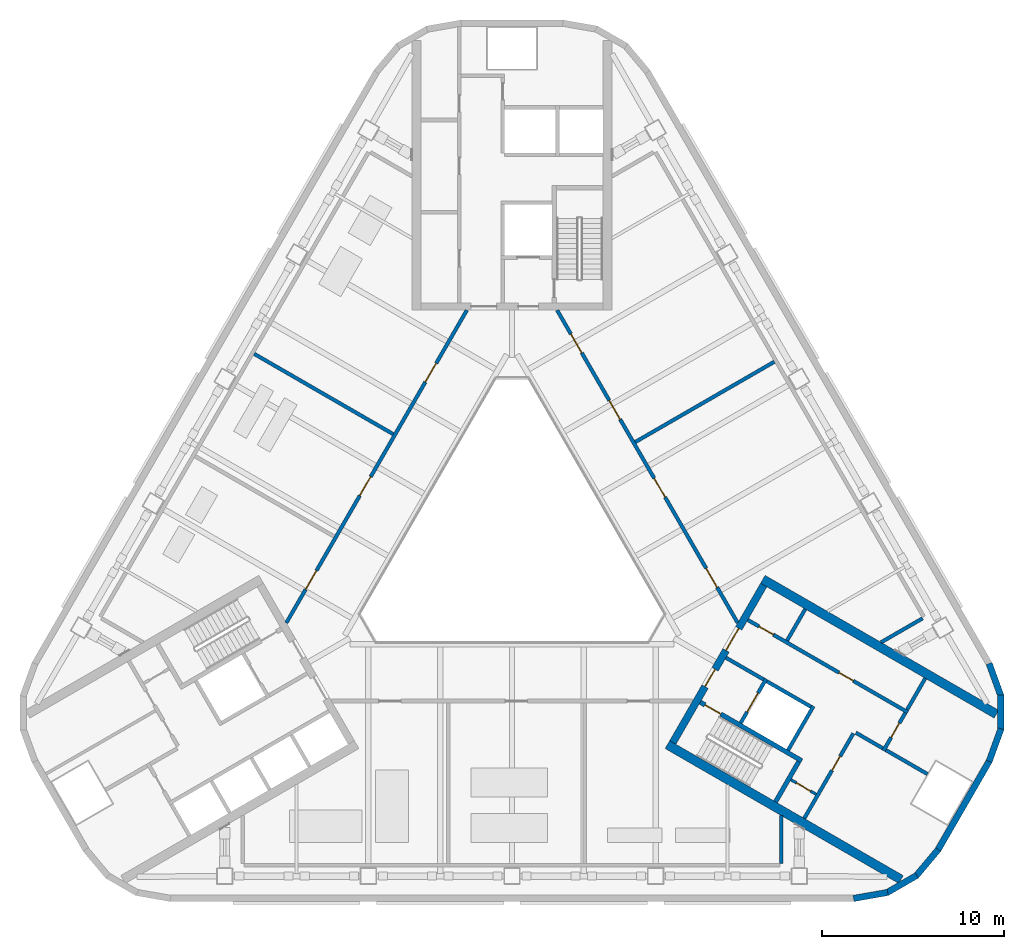
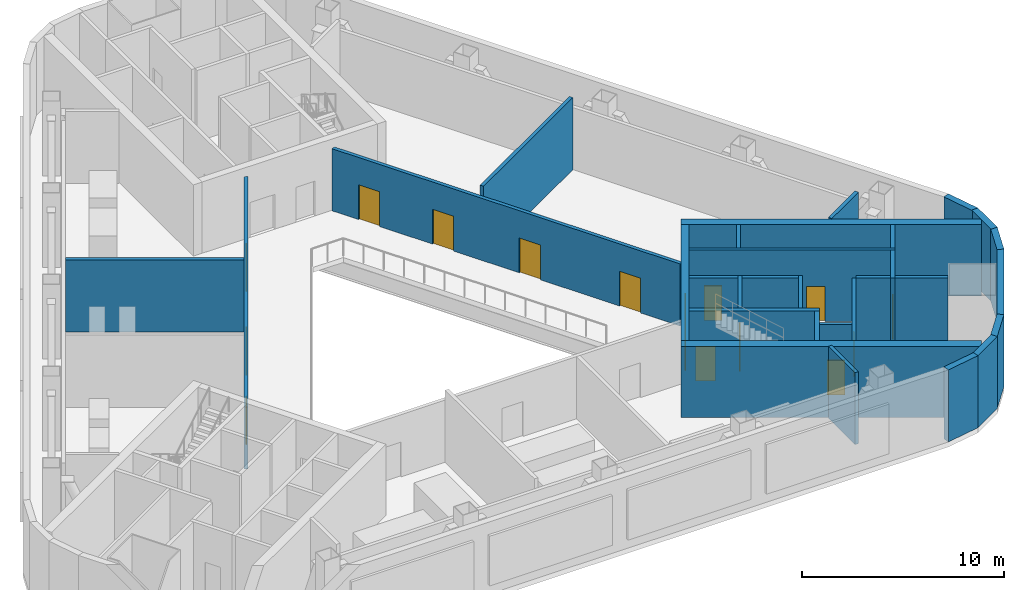
# One storey, part 7 of 14: 30 walls, 16 doors, 16 openings.
"""IFC4 building model written with IfcOpenShell, lengths in metres."""

from ifc_helpers import new_model, si_unit, direction, frame, frame_2d, origin, place, context, subcontext, project, spatial, rectangle, extrude, material, layer, layer_set, type_object, element, fill, save


model = new_model("IFC4")

# Units and contexts
model_context = context("Model", 3, precision=1e-05, world=origin(), true_north=direction((0.0, 1.0)))
body_context = subcontext(model_context, "Body", "Model", "MODEL_VIEW")
ifc_project = project(units=[si_unit("LENGTHUNIT", "METRE"), si_unit("AREAUNIT", "SQUARE_METRE"), si_unit("VOLUMEUNIT", "CUBIC_METRE"), si_unit("PLANEANGLEUNIT", "RADIAN"), si_unit("MASSUNIT", "GRAM", prefix="KILO")], contexts=[model_context])

# Site, building, storey
site_placement = place(None, origin())
site = spatial("IfcSite", under=ifc_project, at=site_placement, CompositionType="ELEMENT")
building_placement = place(site_placement, origin())
building = spatial("IfcBuilding", under=site, at=building_placement, Name="Apuvela Tower Hotel", CompositionType="ELEMENT")
storey_placement = place(building_placement, frame((0.0, 0.0, 142.10009765625)))
storey = spatial("IfcBuildingStorey", under=building, at=storey_placement, Name="L33 Plant", CompositionType="ELEMENT", Elevation=142.10009765625)

# Wall, openings, doors
ifc_material_1 = material(Name="Concrete C50/60", Category="concrete")
ifc_layer_1 = layer(ifc_material_1, 0.39990234375)
ifc_layer_set_1 = layer_set([ifc_layer_1], Name="COR-WALL-CORE-400")
wall_type_1 = type_object("IfcWallType", Name="COR-WALL-CORE-400", PredefinedType="SHEAR", material=ifc_layer_set_1)
wall_1_placement = place(storey_placement, frame((8.844970703125, -10.880126953125, 0.0), z_axis=(0.0, 0.0, 1.0), x_axis=(0.500004234368, 0.866022959057, 0.0)))
wall_1 = element("IfcWall", 1, at=wall_1_placement, inside=storey, type_object=wall_type_1, Name="Core wall SE", PredefinedType="SHEAR", context=body_context, shape_type="SweptSolid", body=[
    extrude(rectangle(XDim=10.0, YDim=0.39990234375, at=frame_2d((5.0, 0.0))), origin(), (0.0, 0.0, 1.0), 4.2998046875),
])
opening_1_placement = place(wall_1_placement, frame((3.550048828125, 0.0, 0.0)))
opening_1 = element("IfcOpeningElement", 2, at=opening_1_placement, cuts=wall_1, Name="Opening E-FD", PredefinedType="OPENING", context=body_context, shape_type="SweptSolid", body=[
    extrude(rectangle(XDim=1.10009765625, YDim=2.10009765625, at=frame_2d((0.550048828125, 1.050048828125))), frame((0.0, 0.2099609375, 0.0), z_axis=(0.0, -1.0, 0.0), x_axis=(1.0, 0.0, 0.0)), (0.0, 0.0, 1.0), 0.419921875),
])
opening_2_placement = place(wall_1_placement, frame((5.85009765625, 0.0, 0.0)))
opening_2 = element("IfcOpeningElement", 3, at=opening_2_placement, cuts=wall_1, Name="Opening E-GD", PredefinedType="OPENING", context=body_context, shape_type="SweptSolid", body=[
    extrude(rectangle(XDim=1.39990234375, YDim=2.10009765625, at=frame_2d((0.699951171875, 1.050048828125))), frame((0.0, 0.2099609375, 0.0), z_axis=(0.0, -1.0, 0.0), x_axis=(1.0, 0.0, 0.0)), (0.0, 0.0, 1.0), 0.419921875),
])
ifc_material_2 = material(Name="Steel fire door, powder coated", Category="steel")
door_type_1 = type_object("IfcDoorType", Name="COR-FD-1100", OperationType="NOTDEFINED", PredefinedType="DOOR", material=ifc_material_2)
door_1_placement = place(opening_1_placement, frame((1.10009765625, 0.0, 0.0), z_axis=(0.0, 0.0, 1.0), x_axis=(-1.0, 0.0, 0.0)))
door_1 = element("IfcDoor", 4, at=door_1_placement, inside=storey, type_object=door_type_1, Name="Firefighting lobby door E-FD", OperationType="SINGLE_SWING_LEFT", OverallHeight=2.10009765625, OverallWidth=1.10009765625, PredefinedType="DOOR", context=body_context, shape_type="SweptSolid", body=[
    extrude(rectangle(XDim=1.10009765625, YDim=2.10009765625, at=frame_2d((0.550048828125, 1.050048828125))), frame((0.0, 0.02490234375, 0.0), z_axis=(0.0, -1.0, 0.0), x_axis=(1.0, 0.0, 0.0)), (0.0, 0.0, 1.0), 0.050048828125),
])
fill(opening_1, door_1)
ifc_material_3 = material(Name="Glazed steel fire door", Category="steel")
door_type_2 = type_object("IfcDoorType", Name="COR-GD-1400", OperationType="DOUBLE_DOOR_SINGLE_SWING", PredefinedType="DOOR", material=ifc_material_3)
door_2_placement = place(opening_2_placement, frame((1.39990234375, 0.0, 0.0), z_axis=(0.0, 0.0, 1.0), x_axis=(-1.0, 0.0, 0.0)))
door_2 = element("IfcDoor", 5, at=door_2_placement, inside=storey, type_object=door_type_2, Name="Lift lobby door E-GD", OperationType="DOUBLE_DOOR_SINGLE_SWING", OverallHeight=2.10009765625, OverallWidth=1.39990234375, PredefinedType="DOOR", context=body_context, shape_type="SweptSolid", body=[
    extrude(rectangle(XDim=1.39990234375, YDim=2.10009765625, at=frame_2d((0.699951171875, 1.050048828125))), frame((0.0, 0.02490234375, 0.0), z_axis=(0.0, -1.0, 0.0), x_axis=(1.0, 0.0, 0.0)), (0.0, 0.0, 1.0), 0.050048828125),
])
fill(opening_2, door_2)

# Walls
ifc_layer_2 = layer(ifc_material_1, 0.5)
ifc_layer_set_2 = layer_set([ifc_layer_2], Name="COR-WALL-CORE-500")
wall_type_2 = type_object("IfcWallType", Name="COR-WALL-CORE-500", PredefinedType="SHEAR", material=ifc_layer_set_2)
for number, where, z_axis, x_axis, name in (
    (6, (8.546630859375, -10.99658203125, 0.0), (0.0, 0.0, 1.0), (0.866025009528, -0.500000682871, 0.0), "Core wall SE"),
    (7, (13.796630859375, -1.9033203125, 0.0), (0.0, 0.0, 1.0), (0.866025009528, -0.500000682871, 0.0), "Core wall SE"),
):
    element("IfcWall", number, at=place(storey_placement, frame(where, z_axis=z_axis, x_axis=x_axis)), inside=storey, type_object=wall_type_2, Name=name, PredefinedType="SHEAR", context=body_context, shape_type="SweptSolid", body=[
        extrude(rectangle(XDim=14.8369140625, YDim=0.5, at=frame_2d((7.41845703125, 0.0))), origin(), (0.0, 0.0, 1.0), 4.2998046875),
    ])

# Wall, opening, door
ifc_material_4 = material(Name="Blockwork 150 mm plastered", Category="masonry")
ifc_layer_3 = layer(ifc_material_4, 0.14990234375)
ifc_layer_set_3 = layer_set([ifc_layer_3], Name="COR-WALL-PART-150")
wall_type_3 = type_object("IfcWallType", Name="COR-WALL-PART-150", PredefinedType="PARTITIONING", material=ifc_layer_set_3)
wall_2_placement = place(storey_placement, frame((15.341552734375, -12.927734375, 0.0), z_axis=(0.0, 0.0, 1.0), x_axis=(0.865989903783, -0.500061482766, 0.0)))
wall_2 = element("IfcWall", 8, at=wall_2_placement, inside=storey, type_object=wall_type_3, Name="Partition SE", PredefinedType="PARTITIONING", context=body_context, shape_type="SweptSolid", body=[
    extrude(rectangle(XDim=1.599853515625, YDim=0.14990234375, at=frame_2d((0.7998046875, 0.0))), origin(), (0.0, 0.0, 1.0), 4.2998046875),
])
opening_3_placement = place(wall_2_placement, frame((0.35009765625, 0.0, 0.0)))
opening_3 = element("IfcOpeningElement", 9, at=opening_3_placement, cuts=wall_2, Name="Opening E-RD", PredefinedType="OPENING", context=body_context, shape_type="SweptSolid", body=[
    extrude(rectangle(XDim=0.89990234375, YDim=2.10009765625, at=frame_2d((0.449951171875, 1.050048828125))), frame((0.0, 0.0849609375, 0.0), z_axis=(0.0, -1.0, 0.0), x_axis=(1.0, 0.0, 0.0)), (0.0, 0.0, 1.0), 0.169921875),
])
ifc_material_5 = material(Name="Steel access door, powder coated", Category="steel")
door_type_3 = type_object("IfcDoorType", Name="COR-RD-900", OperationType="NOTDEFINED", PredefinedType="DOOR", material=ifc_material_5)
door_3_placement = place(opening_3_placement, frame((0.89990234375, 0.0, 0.0), z_axis=(0.0, 0.0, 1.0), x_axis=(-1.0, 0.0, 0.0)))
door_3 = element("IfcDoor", 10, at=door_3_placement, inside=storey, type_object=door_type_3, Name="Riser door E-RD", OperationType="SINGLE_SWING_LEFT", OverallHeight=2.10009765625, OverallWidth=0.89990234375, PredefinedType="DOOR", context=body_context, shape_type="SweptSolid", body=[
    extrude(rectangle(XDim=0.89990234375, YDim=2.10009765625, at=frame_2d((0.449951171875, 1.050048828125))), frame((0.0, 0.02490234375, 0.0), z_axis=(0.0, -1.0, 0.0), x_axis=(1.0, 0.0, 0.0)), (0.0, 0.0, 1.0), 0.050048828125),
])
fill(opening_3, door_3)

ifc_material_6 = material(Name="Blockwork 200 mm plastered", Category="masonry")
ifc_layer_4 = layer(ifc_material_6, 0.199951171875)
ifc_layer_set_4 = layer_set([ifc_layer_4], Name="COR-WALL-PART-200")
wall_type_4 = type_object("IfcWallType", Name="COR-WALL-PART-200", PredefinedType="PARTITIONING", material=ifc_layer_set_4)
wall_3_placement = place(storey_placement, frame((16.076171875, -15.05517578125, 0.0), z_axis=(0.0, 0.0, 1.0), x_axis=(0.499995103361, 0.866028230842, 0.0)))
wall_3 = element("IfcWall", 11, at=wall_3_placement, inside=storey, type_object=wall_type_4, Name="Partition SE", PredefinedType="PARTITIONING", context=body_context, shape_type="SweptSolid", body=[
    extrude(rectangle(XDim=5.39990234375, YDim=0.199951171875, at=frame_2d((2.699951171875, 0.0))), origin(), (0.0, 0.0, 1.0), 4.2998046875),
])
opening_4_placement = place(wall_3_placement, frame((3.050048828125, 0.0, 0.0)))
opening_4 = element("IfcOpeningElement", 12, at=opening_4_placement, cuts=wall_3, Name="Opening E-RS1", PredefinedType="OPENING", context=body_context, shape_type="SweptSolid", body=[
    extrude(rectangle(XDim=0.89990234375, YDim=2.10009765625, at=frame_2d((0.449951171875, 1.050048828125))), frame((0.0, 0.10986328125, 0.0), z_axis=(0.0, -1.0, 0.0), x_axis=(1.0, 0.0, 0.0)), (0.0, 0.0, 1.0), 0.219970703125),
])
door_type_4 = type_object("IfcDoorType", Name="COR-DR-900", OperationType="NOTDEFINED", PredefinedType="DOOR", material=ifc_material_2)
door_4_placement = place(opening_4_placement, frame((0.89990234375, 0.0, 0.0), z_axis=(0.0, 0.0, 1.0), x_axis=(-1.0, 0.0, 0.0)))
door_4 = element("IfcDoor", 13, at=door_4_placement, inside=storey, type_object=door_type_4, Name="Store door E-RS1", OperationType="SINGLE_SWING_LEFT", OverallHeight=2.10009765625, OverallWidth=0.89990234375, PredefinedType="DOOR", context=body_context, shape_type="SweptSolid", body=[
    extrude(rectangle(XDim=0.89990234375, YDim=2.10009765625, at=frame_2d((0.449951171875, 1.050048828125))), frame((0.0, 0.02490234375, 0.0), z_axis=(0.0, -1.0, 0.0), x_axis=(1.0, 0.0, 0.0)), (0.0, 0.0, 1.0), 0.050048828125),
])
fill(opening_4, door_4)

# Wall
ifc_layer_5 = layer(ifc_material_1, 0.199951171875)
ifc_layer_set_5 = layer_set([ifc_layer_5], Name="COR-WALL-SHAFT-200")
wall_type_5 = type_object("IfcWallType", Name="COR-WALL-SHAFT-200", PredefinedType="SHEAR", material=ifc_layer_set_5)
wall_4_placement = place(storey_placement, frame((15.181396484375, -11.305419921875, 0.0), z_axis=(0.0, 0.0, 1.0), x_axis=(0.49994636267, 0.866056369097, 0.0)))
element("IfcWall", 14, at=wall_4_placement, inside=storey, type_object=wall_type_5, Name="Shaft wall SE", PredefinedType="SHEAR", context=body_context, shape_type="SweptSolid", body=[
    extrude(rectangle(XDim=2.800048828125, YDim=0.199951171875, at=frame_2d((1.39990234375, 0.0))), origin(), (0.0, 0.0, 1.0), 4.2998046875),
])

# Wall, opening, door
wall_5_placement = place(storey_placement, frame((12.583251953125, -9.805419921875, 0.0), z_axis=(0.0, 0.0, 1.0), x_axis=(0.49994636267, 0.866056369097, 0.0)))
wall_5 = element("IfcWall", 15, at=wall_5_placement, inside=storey, type_object=wall_type_5, Name="Shaft wall SE", PredefinedType="SHEAR", context=body_context, shape_type="SweptSolid", body=[
    extrude(rectangle(XDim=2.800048828125, YDim=0.199951171875, at=frame_2d((1.39990234375, 0.0))), origin(), (0.0, 0.0, 1.0), 4.2998046875),
])
opening_5_placement = place(wall_5_placement, frame((0.699951171875, 0.0, 0.0)))
opening_5 = element("IfcOpeningElement", 16, at=opening_5_placement, cuts=wall_5, Name="Opening E-LD-FS3", PredefinedType="OPENING", context=body_context, shape_type="SweptSolid", body=[
    extrude(rectangle(XDim=1.199951171875, YDim=2.10009765625, at=frame_2d((0.60009765625, 1.050048828125))), frame((0.0, 0.10986328125, 0.0), z_axis=(0.0, -1.0, 0.0), x_axis=(1.0, 0.0, 0.0)), (0.0, 0.0, 1.0), 0.219970703125),
])
ifc_material_7 = material(Name="Stainless steel lift landing door", Category="steel")
door_type_5 = type_object("IfcDoorType", Name="COR-LD-1200", OperationType="DOUBLE_DOOR_SLIDING", PredefinedType="DOOR", material=ifc_material_7)
door_5_placement = place(opening_5_placement, origin())
door_5 = element("IfcDoor", 17, at=door_5_placement, inside=storey, type_object=door_type_5, Name="Lift landing door E-LD-FS3", OperationType="DOUBLE_DOOR_SLIDING", OverallHeight=2.10009765625, OverallWidth=1.199951171875, PredefinedType="DOOR", context=body_context, shape_type="SweptSolid", body=[
    extrude(rectangle(XDim=1.199951171875, YDim=2.10009765625, at=frame_2d((0.60009765625, 1.050048828125))), frame((0.0, 0.02490234375, 0.0), z_axis=(0.0, -1.0, 0.0), x_axis=(1.0, 0.0, 0.0)), (0.0, 0.0, 1.0), 0.050048828125),
])
fill(opening_5, door_5)

# Walls
wall_6_placement = place(storey_placement, frame((11.76806640625, -6.217041015625, 0.0), z_axis=(0.0, 0.0, 1.0), x_axis=(0.866050077142, -0.499957262057, 0.0)))
element("IfcWall", 18, at=wall_6_placement, inside=storey, type_object=wall_type_5, Name="Shaft wall SE", PredefinedType="SHEAR", context=body_context, shape_type="SweptSolid", body=[
    extrude(rectangle(XDim=2.400146484375, YDim=0.199951171875, at=frame_2d((1.2001953125, 0.0))), origin(), (0.0, 0.0, 1.0), 4.2998046875),
])
wall_7_placement = place(storey_placement, frame((14.019775390625, -7.51708984375, 0.0), z_axis=(0.0, 0.0, 1.0), x_axis=(0.866034573852, -0.49998411664, 0.0)))
element("IfcWall", 19, at=wall_7_placement, inside=storey, type_object=wall_type_5, Name="Shaft wall SE", PredefinedType="SHEAR", context=body_context, shape_type="SweptSolid", body=[
    extrude(rectangle(XDim=2.7998046875, YDim=0.199951171875, at=frame_2d((1.39990234375, 0.0))), origin(), (0.0, 0.0, 1.0), 4.2998046875),
])

# Wall, openings, doors
wall_8_placement = place(storey_placement, frame((12.968017578125, -4.138427734375, 0.0), z_axis=(0.0, 0.0, 1.0), x_axis=(0.866028328073, -0.49999493495, 0.0)))
wall_8 = element("IfcWall", 20, at=wall_8_placement, inside=storey, type_object=wall_type_5, Name="Shaft wall SE", PredefinedType="SHEAR", context=body_context, shape_type="SweptSolid", body=[
    extrude(rectangle(XDim=10.16015625, YDim=0.199951171875, at=frame_2d((5.080078125, 0.0))), origin(), (0.0, 0.0, 1.0), 4.2998046875),
])
opening_6_placement = place(wall_8_placement, frame((0.719970703125, 0.0, 0.0)))
opening_6 = element("IfcOpeningElement", 21, at=opening_6_placement, cuts=wall_8, Name="Opening E-RE1", PredefinedType="OPENING", context=body_context, shape_type="SweptSolid", body=[
    extrude(rectangle(XDim=0.89990234375, YDim=2.10009765625, at=frame_2d((0.449951171875, 1.050048828125))), frame((0.0, 0.10986328125, 0.0), z_axis=(0.0, -1.0, 0.0), x_axis=(1.0, 0.0, 0.0)), (0.0, 0.0, 1.0), 0.219970703125),
])
opening_7_placement = place(wall_8_placement, frame((5.800048828125, 0.0, 0.0)))
opening_7 = element("IfcOpeningElement", 22, at=opening_7_placement, cuts=wall_8, Name="Opening E-RE2", PredefinedType="OPENING", context=body_context, shape_type="SweptSolid", body=[
    extrude(rectangle(XDim=0.89990234375, YDim=2.10009765625, at=frame_2d((0.449951171875, 1.050048828125))), frame((0.0, 0.10986328125, 0.0), z_axis=(0.0, -1.0, 0.0), x_axis=(1.0, 0.0, 0.0)), (0.0, 0.0, 1.0), 0.219970703125),
])
door_6_placement = place(opening_6_placement, origin())
door_6 = element("IfcDoor", 23, at=door_6_placement, inside=storey, type_object=door_type_4, Name="Store door E-RE1", OperationType="SINGLE_SWING_LEFT", OverallHeight=2.10009765625, OverallWidth=0.89990234375, PredefinedType="DOOR", context=body_context, shape_type="SweptSolid", body=[
    extrude(rectangle(XDim=0.89990234375, YDim=2.10009765625, at=frame_2d((0.449951171875, 1.050048828125))), frame((0.0, 0.02490234375, 0.0), z_axis=(0.0, -1.0, 0.0), x_axis=(1.0, 0.0, 0.0)), (0.0, 0.0, 1.0), 0.050048828125),
])
fill(opening_6, door_6)
door_7_placement = place(opening_7_placement, origin())
door_7 = element("IfcDoor", 24, at=door_7_placement, inside=storey, type_object=door_type_4, Name="Store door E-RE2", OperationType="SINGLE_SWING_LEFT", OverallHeight=2.10009765625, OverallWidth=0.89990234375, PredefinedType="DOOR", context=body_context, shape_type="SweptSolid", body=[
    extrude(rectangle(XDim=0.89990234375, YDim=2.10009765625, at=frame_2d((0.449951171875, 1.050048828125))), frame((0.0, 0.02490234375, 0.0), z_axis=(0.0, -1.0, 0.0), x_axis=(1.0, 0.0, 0.0)), (0.0, 0.0, 1.0), 0.050048828125),
])
fill(opening_7, door_7)

# Wall, opening, door
wall_9_placement = place(storey_placement, frame((20.430419921875, -11.33349609375, 0.0), z_axis=(0.0, 0.0, 1.0), x_axis=(0.500001309137, 0.866024647952, 0.0)))
wall_9 = element("IfcWall", 25, at=wall_9_placement, inside=storey, type_object=wall_type_5, Name="Shaft wall SE", PredefinedType="SHEAR", context=body_context, shape_type="SweptSolid", body=[
    extrude(rectangle(XDim=2.39990234375, YDim=0.199951171875, at=frame_2d((1.199951171875, 0.0))), origin(), (0.0, 0.0, 1.0), 4.2998046875),
])
opening_8_placement = place(wall_9_placement, frame((0.85009765625, 0.0, 0.0)))
opening_8 = element("IfcOpeningElement", 26, at=opening_8_placement, cuts=wall_9, Name="Opening E-REP", PredefinedType="OPENING", context=body_context, shape_type="SweptSolid", body=[
    extrude(rectangle(XDim=0.89990234375, YDim=2.10009765625, at=frame_2d((0.449951171875, 1.050048828125))), frame((0.0, 0.10986328125, 0.0), z_axis=(0.0, -1.0, 0.0), x_axis=(1.0, 0.0, 0.0)), (0.0, 0.0, 1.0), 0.219970703125),
])
door_8_placement = place(opening_8_placement, frame((0.89990234375, 0.0, 0.0), z_axis=(0.0, 0.0, 1.0), x_axis=(-1.0, 0.0, 0.0)))
door_8 = element("IfcDoor", 27, at=door_8_placement, inside=storey, type_object=door_type_4, Name="Store door E-REP", OperationType="SINGLE_SWING_RIGHT", OverallHeight=2.10009765625, OverallWidth=0.89990234375, PredefinedType="DOOR", context=body_context, shape_type="SweptSolid", body=[
    extrude(rectangle(XDim=0.89990234375, YDim=2.10009765625, at=frame_2d((0.449951171875, 1.050048828125))), frame((0.0, 0.02490234375, 0.0), z_axis=(0.0, -1.0, 0.0), x_axis=(1.0, 0.0, 0.0)), (0.0, 0.0, 1.0), 0.050048828125),
])
fill(opening_8, door_8)

# Walls
wall_10_placement = place(storey_placement, frame((18.912841796875, -10.342041015625, 0.0), z_axis=(0.0, 0.0, 1.0), x_axis=(0.866038183914, -0.499977863513, 0.0)))
element("IfcWall", 28, at=wall_10_placement, inside=storey, type_object=wall_type_5, Name="Shaft wall SE", PredefinedType="SHEAR", context=body_context, shape_type="SweptSolid", body=[
    extrude(rectangle(XDim=1.7099609375, YDim=0.199951171875, at=frame_2d((0.85498046875, 0.0))), origin(), (0.0, 0.0, 1.0), 4.2998046875),
])
for number, where, z_axis, x_axis, name in (
    (29, (15.131103515625, -5.27197265625, 0.0), (0.0, 0.0, 1.0), (0.499972520799, 0.866041268327, 0.0), "Shaft wall SE"),
    (30, (21.73046875, -9.081787109375, 0.0), (0.0, 0.0, 1.0), (0.50002537861, 0.866010750942, 0.0), "Shaft wall SE"),
):
    element("IfcWall", number, at=place(storey_placement, frame(where, z_axis=z_axis, x_axis=x_axis)), inside=storey, type_object=wall_type_5, Name=name, PredefinedType="SHEAR", context=body_context, shape_type="SweptSolid", body=[
        extrude(rectangle(XDim=2.0, YDim=0.199951171875, at=frame_2d((1.0, 0.0))), origin(), (0.0, 0.0, 1.0), 4.2998046875),
    ])
wall_11_placement = place(storey_placement, frame((20.56689453125, -11.297119140625, 0.0), z_axis=(0.0, 0.0, 1.0), x_axis=(0.866060851709, -0.499938597367, 0.0)))
element("IfcWall", 31, at=wall_11_placement, inside=storey, type_object=wall_type_5, Name="Shaft wall SE", PredefinedType="SHEAR", context=body_context, shape_type="SweptSolid", body=[
    extrude(rectangle(XDim=2.639892578125, YDim=0.199951171875, at=frame_2d((1.31982421875, 0.0))), origin(), (0.0, 0.0, 1.0), 4.2998046875),
])

# Wall, opening, door
ifc_layer_6 = layer(ifc_material_1, 0.25)
ifc_layer_set_6 = layer_set([ifc_layer_6], Name="COR-WALL-STAIR-250")
wall_type_6 = type_object("IfcWallType", Name="COR-WALL-STAIR-250", PredefinedType="SHEAR", material=ifc_layer_set_6)
wall_12_placement = place(storey_placement, frame((10.355712890625, -8.66357421875, 0.0), z_axis=(0.0, 0.0, 1.0), x_axis=(0.866028629588, -0.499994412703, 0.0)))
wall_12 = element("IfcWall", 32, at=wall_12_placement, inside=storey, type_object=wall_type_6, Name="Stair wall SE", PredefinedType="SHEAR", context=body_context, shape_type="SweptSolid", body=[
    extrude(rectangle(XDim=6.44970703125, YDim=0.25, at=frame_2d((3.224853515625, 0.0))), origin(), (0.0, 0.0, 1.0), 4.2998046875),
])
opening_9_placement = place(wall_12_placement, frame((0.300048828125, 0.0, 0.0)))
opening_9 = element("IfcOpeningElement", 33, at=opening_9_placement, cuts=wall_12, Name="Opening E-SD", PredefinedType="OPENING", context=body_context, shape_type="SweptSolid", body=[
    extrude(rectangle(XDim=1.0, YDim=2.10009765625, at=frame_2d((0.5, 1.050048828125))), frame((0.0, 0.135009765625, 0.0), z_axis=(0.0, -1.0, 0.0), x_axis=(1.0, 0.0, 0.0)), (0.0, 0.0, 1.0), 0.27001953125),
])
door_type_6 = type_object("IfcDoorType", Name="COR-SD-1000", OperationType="NOTDEFINED", PredefinedType="DOOR", material=ifc_material_2)
door_9_placement = place(opening_9_placement, frame((1.0, 0.0, 0.0), z_axis=(0.0, 0.0, 1.0), x_axis=(-1.0, 0.0, 0.0)))
door_9 = element("IfcDoor", 34, at=door_9_placement, inside=storey, type_object=door_type_6, Name="Stair door E-SD", OperationType="SINGLE_SWING_LEFT", OverallHeight=2.10009765625, OverallWidth=1.0, PredefinedType="DOOR", context=body_context, shape_type="SweptSolid", body=[
    extrude(rectangle(XDim=1.0, YDim=2.10009765625, at=frame_2d((0.5, 1.050048828125))), frame((0.0, 0.02490234375, 0.0), z_axis=(0.0, -1.0, 0.0), x_axis=(1.0, 0.0, 0.0)), (0.0, 0.0, 1.0), 0.050048828125),
])
fill(opening_9, door_9)

# Walls
wall_13_placement = place(storey_placement, frame((14.49560546875, -14.142578125, 0.0), z_axis=(0.0, 0.0, 1.0), x_axis=(0.500062241894, 0.865989465428, 0.0)))
element("IfcWall", 35, at=wall_13_placement, inside=storey, type_object=wall_type_6, Name="Stair wall SE", PredefinedType="SHEAR", context=body_context, shape_type="SweptSolid", body=[
    extrude(rectangle(XDim=2.550048828125, YDim=0.25, at=frame_2d((1.27490234375, 0.0))), origin(), (0.0, 0.0, 1.0), 4.2998046875),
])
ifc_material_8 = material(Name="Concrete C40/50, dark pigmented precast panel", Category="concrete")
ifc_layer_7 = layer(ifc_material_8, 0.35009765625)
ifc_layer_set_7 = layer_set([ifc_layer_7], Name="ENV-WALL-350")
wall_type_7 = type_object("IfcWallType", Name="ENV-WALL-350", PredefinedType="SOLIDWALL", material=ifc_layer_set_7)
wall_14_placement = place(storey_placement, frame((18.785400390625, -19.457763671875, 0.0), z_axis=(0.0, 0.0, 1.0), x_axis=(0.984798995425, 0.173697837091, 0.0)))
element("IfcWall", 36, at=wall_14_placement, inside=storey, type_object=wall_type_7, Name="External wall L33 Plant-16", PredefinedType="SOLIDWALL", context=body_context, shape_type="SweptSolid", body=[
    extrude(rectangle(XDim=1.91015625, YDim=0.35009765625, at=frame_2d((0.955078125, 0.0))), origin(), (0.0, 0.0, 1.0), 4.349853515625),
])
for number, where, z_axis, x_axis, name in (
    (37, (20.609619140625, -19.146728515625, 0.0), (0.0, 0.0, 1.0), (0.866000389056, 0.500043324278, 0.0), "External wall L33 Plant-17"),
    (38, (22.217041015625, -18.230712890625, 0.0), (0.0, 0.0, 1.0), (0.642808304945, 0.766027077259, 0.0), "External wall L33 Plant-18"),
):
    element("IfcWall", number, at=place(storey_placement, frame(where, z_axis=z_axis, x_axis=x_axis)), inside=storey, type_object=wall_type_7, Name=name, PredefinedType="SOLIDWALL", context=body_context, shape_type="SweptSolid", body=[
        extrude(rectangle(XDim=1.909912109375, YDim=0.35009765625, at=frame_2d((0.955078125, 0.0))), origin(), (0.0, 0.0, 1.0), 4.349853515625),
    ])
wall_15_placement = place(storey_placement, frame((23.427490234375, -16.79248046875, 0.0), z_axis=(0.0, 0.0, 1.0), x_axis=(0.499986410639, 0.866033249463, 0.0)))
element("IfcWall", 39, at=wall_15_placement, inside=storey, type_object=wall_type_7, Name="External wall L33 Plant-19", PredefinedType="SOLIDWALL", context=body_context, shape_type="SweptSolid", body=[
    extrude(rectangle(XDim=5.657958984375, YDim=0.35009765625, at=frame_2d((2.8291015625, 0.0))), origin(), (0.0, 0.0, 1.0), 4.349853515625),
])
for number, where, z_axis, x_axis, name in (
    (40, (26.24365234375, -11.920166015625, 0.0), (0.0, 0.0, 1.0), (0.342030395486, 0.939688889242, 0.0), "External wall L33 Plant-20"),
    (41, (26.88623046875, -10.18505859375, 0.0), (0.0, 0.0, 1.0), (0.0, 1.0, 0.0), "External wall L33 Plant-21"),
    (42, (26.89697265625, -8.334716796875, 0.0), (0.0, 0.0, 1.0), (-0.342030395486, 0.939688889242, 0.0), "External wall L33 Plant-22"),
):
    element("IfcWall", number, at=place(storey_placement, frame(where, z_axis=z_axis, x_axis=x_axis)), inside=storey, type_object=wall_type_7, Name=name, PredefinedType="SOLIDWALL", context=body_context, shape_type="SweptSolid", body=[
        extrude(rectangle(XDim=1.91015625, YDim=0.35009765625, at=frame_2d((0.955078125, 0.0))), origin(), (0.0, 0.0, 1.0), 4.349853515625),
    ])
ifc_material_9 = material(Name="Reinforced blockwork B15", Category="masonry")
ifc_layer_8 = layer(ifc_material_9, 0.199951171875)
ifc_layer_set_8 = layer_set([ifc_layer_8], Name="SPC-WALL-PLANT")
wall_type_8 = type_object("IfcWallType", Name="SPC-WALL-PLANT", PredefinedType="PARTITIONING", material=ifc_layer_set_8)
for number, where, z_axis, x_axis, name in (
    (43, (14.800048828125, -17.530029296875, 0.0), (0.0, 0.0, 1.0), (0.0, 1.0, 0.0), "Wall L33-S-P06"),
    (44, (22.581298828125, -4.05224609375, 0.0), (0.0, 0.0, 1.0), (-0.866038977738, -0.499976488486, 0.0), "Wall L33-NE-P03"),
):
    element("IfcWall", number, at=place(storey_placement, frame(where, z_axis=z_axis, x_axis=x_axis)), inside=storey, type_object=wall_type_8, Name=name, PredefinedType="PARTITIONING", context=body_context, shape_type="SweptSolid", body=[
        extrude(rectangle(XDim=2.634521484375, YDim=0.199951171875, at=frame_2d((1.3173828125, 0.0))), origin(), (0.0, 0.0, 1.0), 4.349853515625),
    ])
wall_16_placement = place(storey_placement, frame((14.431396484375, 10.06396484375, 0.0), z_axis=(0.0, 0.0, 1.0), x_axis=(-0.866022591837, -0.500004870404, 0.0)))
element("IfcWall", 45, at=wall_16_placement, inside=storey, type_object=wall_type_8, Name="Wall L33-NE-P04", PredefinedType="PARTITIONING", context=body_context, shape_type="SweptSolid", body=[
    extrude(rectangle(XDim=8.830078125, YDim=0.199951171875, at=frame_2d((4.4150390625, 0.0))), origin(), (0.0, 0.0, 1.0), 4.349853515625),
])

# Wall, openings, doors
wall_17_placement = place(storey_placement, frame((12.4130859375, -4.300048828125, 0.0), z_axis=(0.0, 0.0, 1.0), x_axis=(-0.50000478328, 0.866022642139, 0.0)))
wall_17 = element("IfcWall", 46, at=wall_17_placement, inside=storey, type_object=wall_type_8, Name="Wall L33-NE-CW", PredefinedType="PARTITIONING", context=body_context, shape_type="SweptSolid", body=[
    extrude(rectangle(XDim=19.861083984375, YDim=0.199951171875, at=frame_2d((9.9306640625, 0.0))), origin(), (0.0, 0.0, 1.0), 3.75),
])
opening_10_placement = place(wall_17_placement, frame((2.260498046875, 0.0, 0.0)))
opening_10 = element("IfcOpeningElement", 47, at=opening_10_placement, cuts=wall_17, Name="Opening L33-S01", PredefinedType="OPENING", context=body_context, shape_type="SweptSolid", body=[
    extrude(rectangle(XDim=1.199951171875, YDim=2.10009765625, at=frame_2d((0.60009765625, 1.050048828125))), frame((0.0, 0.10986328125, 0.0), z_axis=(0.0, -1.0, 0.0), x_axis=(1.0, 0.0, 0.0)), (0.0, 0.0, 1.0), 0.219970703125),
])
opening_11_placement = place(wall_17_placement, frame((7.981689453125, 0.0, 0.0)))
opening_11 = element("IfcOpeningElement", 48, at=opening_11_placement, cuts=wall_17, Name="Opening L33-S02", PredefinedType="OPENING", context=body_context, shape_type="SweptSolid", body=[
    extrude(rectangle(XDim=1.199951171875, YDim=2.10009765625, at=frame_2d((0.60009765625, 1.050048828125))), frame((0.0, 0.10986328125, 0.0), z_axis=(0.0, -1.0, 0.0), x_axis=(1.0, 0.0, 0.0)), (0.0, 0.0, 1.0), 0.219970703125),
])
opening_12_placement = place(wall_17_placement, frame((12.929443359375, 0.0, 0.0)))
opening_12 = element("IfcOpeningElement", 49, at=opening_12_placement, cuts=wall_17, Name="Opening L33-S03", PredefinedType="OPENING", context=body_context, shape_type="SweptSolid", body=[
    extrude(rectangle(XDim=1.199951171875, YDim=2.10009765625, at=frame_2d((0.60009765625, 1.050048828125))), frame((0.0, 0.10986328125, 0.0), z_axis=(0.0, -1.0, 0.0), x_axis=(1.0, 0.0, 0.0)), (0.0, 0.0, 1.0), 0.219970703125),
])
opening_13_placement = place(wall_17_placement, frame((17.150634765625, 0.0, 0.0)))
opening_13 = element("IfcOpeningElement", 50, at=opening_13_placement, cuts=wall_17, Name="Opening L33-S04", PredefinedType="OPENING", context=body_context, shape_type="SweptSolid", body=[
    extrude(rectangle(XDim=1.199951171875, YDim=2.10009765625, at=frame_2d((0.60009765625, 1.050048828125))), frame((0.0, 0.10986328125, 0.0), z_axis=(0.0, -1.0, 0.0), x_axis=(1.0, 0.0, 0.0)), (0.0, 0.0, 1.0), 0.219970703125),
])
ifc_material_10 = material(Name="Steel fire door leaf", Category="steel")
door_type_7 = type_object("IfcDoorType", Name="SPC-DOOR-1200-REFUGE", OperationType="NOTDEFINED", PredefinedType="DOOR", material=ifc_material_10)
door_10_placement = place(opening_10_placement, origin())
door_10 = element("IfcDoor", 51, at=door_10_placement, inside=storey, type_object=door_type_7, Name="L33-S01", OperationType="SINGLE_SWING_LEFT", OverallHeight=2.10009765625, OverallWidth=1.199951171875, PredefinedType="DOOR", context=body_context, shape_type="SweptSolid", body=[
    extrude(rectangle(XDim=1.199951171875, YDim=2.10009765625, at=frame_2d((0.60009765625, 1.050048828125))), frame((0.0, 0.02490234375, 0.0), z_axis=(0.0, -1.0, 0.0), x_axis=(1.0, 0.0, 0.0)), (0.0, 0.0, 1.0), 0.050048828125),
])
fill(opening_10, door_10)
door_11_placement = place(opening_11_placement, origin())
door_11 = element("IfcDoor", 52, at=door_11_placement, inside=storey, type_object=door_type_7, Name="L33-S02", OperationType="SINGLE_SWING_RIGHT", OverallHeight=2.10009765625, OverallWidth=1.199951171875, PredefinedType="DOOR", context=body_context, shape_type="SweptSolid", body=[
    extrude(rectangle(XDim=1.199951171875, YDim=2.10009765625, at=frame_2d((0.60009765625, 1.050048828125))), frame((0.0, 0.02490234375, 0.0), z_axis=(0.0, -1.0, 0.0), x_axis=(1.0, 0.0, 0.0)), (0.0, 0.0, 1.0), 0.050048828125),
])
fill(opening_11, door_11)
door_12_placement = place(opening_12_placement, origin())
door_12 = element("IfcDoor", 53, at=door_12_placement, inside=storey, type_object=door_type_7, Name="L33-S03", OperationType="SINGLE_SWING_LEFT", OverallHeight=2.10009765625, OverallWidth=1.199951171875, PredefinedType="DOOR", context=body_context, shape_type="SweptSolid", body=[
    extrude(rectangle(XDim=1.199951171875, YDim=2.10009765625, at=frame_2d((0.60009765625, 1.050048828125))), frame((0.0, 0.02490234375, 0.0), z_axis=(0.0, -1.0, 0.0), x_axis=(1.0, 0.0, 0.0)), (0.0, 0.0, 1.0), 0.050048828125),
])
fill(opening_12, door_12)
door_13_placement = place(opening_13_placement, origin())
door_13 = element("IfcDoor", 54, at=door_13_placement, inside=storey, type_object=door_type_7, Name="L33-S04", OperationType="SINGLE_SWING_RIGHT", OverallHeight=2.10009765625, OverallWidth=1.199951171875, PredefinedType="DOOR", context=body_context, shape_type="SweptSolid", body=[
    extrude(rectangle(XDim=1.199951171875, YDim=2.10009765625, at=frame_2d((0.60009765625, 1.050048828125))), frame((0.0, 0.02490234375, 0.0), z_axis=(0.0, -1.0, 0.0), x_axis=(1.0, 0.0, 0.0)), (0.0, 0.0, 1.0), 0.050048828125),
])
fill(opening_13, door_13)

# Wall
wall_18_placement = place(storey_placement, frame((-14.181396484375, 10.4970703125, 0.0), z_axis=(0.0, 0.0, 1.0), x_axis=(0.866022591837, -0.500004870404, 0.0)))
element("IfcWall", 55, at=wall_18_placement, inside=storey, type_object=wall_type_8, Name="Wall L33-NW-P04", PredefinedType="PARTITIONING", context=body_context, shape_type="SweptSolid", body=[
    extrude(rectangle(XDim=8.830078125, YDim=0.199951171875, at=frame_2d((4.4150390625, 0.0))), origin(), (0.0, 0.0, 1.0), 4.349853515625),
])

# Wall, openings, doors
wall_19_placement = place(storey_placement, frame((-2.482421875, 12.900146484375, 0.0), z_axis=(0.0, 0.0, 1.0), x_axis=(-0.50000478328, -0.866022642139, 0.0)))
wall_19 = element("IfcWall", 56, at=wall_19_placement, inside=storey, type_object=wall_type_8, Name="Wall L33-NW-CW", PredefinedType="PARTITIONING", context=body_context, shape_type="SweptSolid", body=[
    extrude(rectangle(XDim=19.861083984375, YDim=0.199951171875, at=frame_2d((9.9306640625, 0.0))), origin(), (0.0, 0.0, 1.0), 3.75),
])
opening_14_placement = place(wall_19_placement, frame((3.37109375, 0.0, 0.0)))
opening_14 = element("IfcOpeningElement", 57, at=opening_14_placement, cuts=wall_19, Name="Opening L33-S05", PredefinedType="OPENING", context=body_context, shape_type="SweptSolid", body=[
    extrude(rectangle(XDim=1.199951171875, YDim=2.10009765625, at=frame_2d((0.60009765625, 1.050048828125))), frame((0.0, 0.10986328125, 0.0), z_axis=(0.0, -1.0, 0.0), x_axis=(1.0, 0.0, 0.0)), (0.0, 0.0, 1.0), 0.219970703125),
])
opening_15_placement = place(wall_19_placement, frame((10.58056640625, 0.0, 0.0)))
opening_15 = element("IfcOpeningElement", 58, at=opening_15_placement, cuts=wall_19, Name="Opening L33-S06", PredefinedType="OPENING", context=body_context, shape_type="SweptSolid", body=[
    extrude(rectangle(XDim=1.199951171875, YDim=2.10009765625, at=frame_2d((0.60009765625, 1.050048828125))), frame((0.0, 0.10986328125, 0.0), z_axis=(0.0, -1.0, 0.0), x_axis=(1.0, 0.0, 0.0)), (0.0, 0.0, 1.0), 0.219970703125),
])
opening_16_placement = place(wall_19_placement, frame((16.5400390625, 0.0, 0.0)))
opening_16 = element("IfcOpeningElement", 59, at=opening_16_placement, cuts=wall_19, Name="Opening L33-S07", PredefinedType="OPENING", context=body_context, shape_type="SweptSolid", body=[
    extrude(rectangle(XDim=1.199951171875, YDim=2.10009765625, at=frame_2d((0.60009765625, 1.050048828125))), frame((0.0, 0.10986328125, 0.0), z_axis=(0.0, -1.0, 0.0), x_axis=(1.0, 0.0, 0.0)), (0.0, 0.0, 1.0), 0.219970703125),
])
door_type_8 = type_object("IfcDoorType", Name="SPC-DOOR-1200-PLANT", OperationType="NOTDEFINED", PredefinedType="DOOR", material=ifc_material_10)
door_14_placement = place(opening_14_placement, frame((1.199951171875, 0.0, 0.0), z_axis=(0.0, 0.0, 1.0), x_axis=(-1.0, 0.0, 0.0)))
door_14 = element("IfcDoor", 60, at=door_14_placement, inside=storey, type_object=door_type_8, Name="L33-S05", OperationType="SINGLE_SWING_RIGHT", OverallHeight=2.10009765625, OverallWidth=1.199951171875, PredefinedType="DOOR", context=body_context, shape_type="SweptSolid", body=[
    extrude(rectangle(XDim=1.199951171875, YDim=2.10009765625, at=frame_2d((0.60009765625, 1.050048828125))), frame((0.0, 0.02490234375, 0.0), z_axis=(0.0, -1.0, 0.0), x_axis=(1.0, 0.0, 0.0)), (0.0, 0.0, 1.0), 0.050048828125),
])
fill(opening_14, door_14)
door_15_placement = place(opening_15_placement, frame((1.199951171875, 0.0, 0.0), z_axis=(0.0, 0.0, 1.0), x_axis=(-1.0, 0.0, 0.0)))
door_15 = element("IfcDoor", 61, at=door_15_placement, inside=storey, type_object=door_type_8, Name="L33-S06", OperationType="SINGLE_SWING_LEFT", OverallHeight=2.10009765625, OverallWidth=1.199951171875, PredefinedType="DOOR", context=body_context, shape_type="SweptSolid", body=[
    extrude(rectangle(XDim=1.199951171875, YDim=2.10009765625, at=frame_2d((0.60009765625, 1.050048828125))), frame((0.0, 0.02490234375, 0.0), z_axis=(0.0, -1.0, 0.0), x_axis=(1.0, 0.0, 0.0)), (0.0, 0.0, 1.0), 0.050048828125),
])
fill(opening_15, door_15)
door_16_placement = place(opening_16_placement, frame((1.199951171875, 0.0, 0.0), z_axis=(0.0, 0.0, 1.0), x_axis=(-1.0, 0.0, 0.0)))
door_16 = element("IfcDoor", 62, at=door_16_placement, inside=storey, type_object=door_type_8, Name="L33-S07", OperationType="SINGLE_SWING_RIGHT", OverallHeight=2.10009765625, OverallWidth=1.199951171875, PredefinedType="DOOR", context=body_context, shape_type="SweptSolid", body=[
    extrude(rectangle(XDim=1.199951171875, YDim=2.10009765625, at=frame_2d((0.60009765625, 1.050048828125))), frame((0.0, 0.02490234375, 0.0), z_axis=(0.0, -1.0, 0.0), x_axis=(1.0, 0.0, 0.0)), (0.0, 0.0, 1.0), 0.050048828125),
])
fill(opening_16, door_16)

save(model, "model.ifc")
